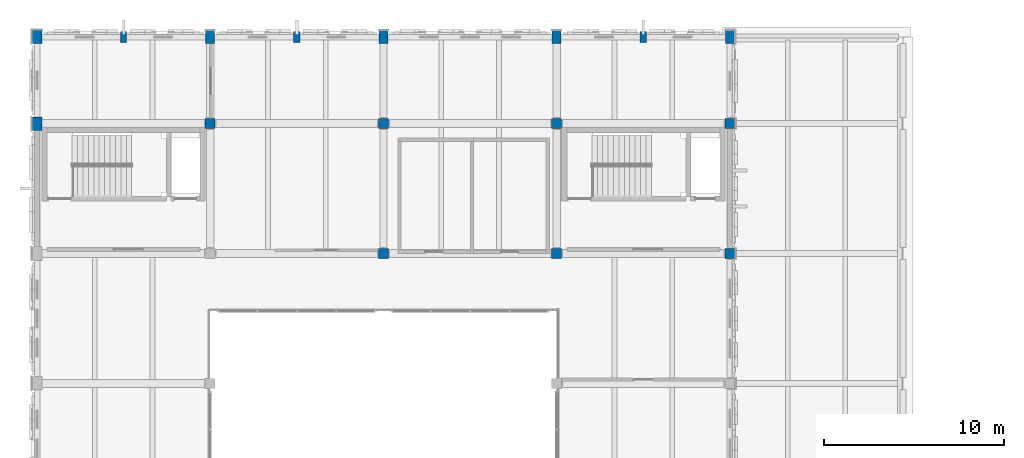
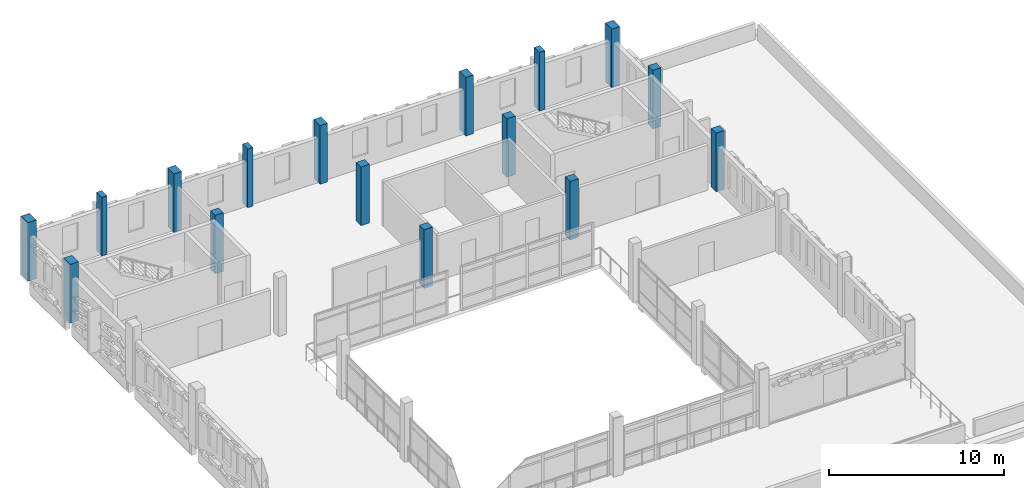
# One storey, part 2 of 50: 16 columns.
"""IFC4 building model written with IfcOpenShell, lengths in metres."""

from ifc_helpers import new_model, si_unit, direction, frame, origin, origin_2d, place, context, subcontext, project, spatial, rectangle, extrude, material, material_profile, profile_set, type_object, element, save


model = new_model("IFC4")

# Units and contexts
model_context = context("Model", 3, precision=1e-05, world=origin(), true_north=direction((0.0, 1.0)))
body_context = subcontext(model_context, "Body", "Model", "MODEL_VIEW")
ifc_project = project(units=[si_unit("LENGTHUNIT", "METRE"), si_unit("AREAUNIT", "SQUARE_METRE"), si_unit("VOLUMEUNIT", "CUBIC_METRE"), si_unit("PLANEANGLEUNIT", "RADIAN"), si_unit("MASSUNIT", "GRAM", prefix="KILO")], contexts=[model_context])

# Site, building, storey
site_placement = place(None, origin())
site = spatial("IfcSite", under=ifc_project, at=site_placement, CompositionType="ELEMENT")
building_placement = place(site_placement, origin())
building = spatial("IfcBuilding", under=site, at=building_placement, Name="Asteropetra Specialist Clinic", CompositionType="ELEMENT")
storey_placement = place(building_placement, frame((0.0, 0.0, 16.659912109375)))
storey = spatial("IfcBuildingStorey", under=building, at=storey_placement, Name="L04", CompositionType="ELEMENT", Elevation=16.659912109375)

# Columns
ifc_material_1 = material(Name="Concrete C35/45", Category="concrete")
ifc_material_profile_1 = material_profile(ifc_material_1, rectangle(XDim=0.5, YDim=0.699951171875, at=origin_2d()), Name="RC 500x700")
ifc_profile_set_1 = profile_set([ifc_material_profile_1], Name="Concrete C35/45")
column_type_1 = type_object("IfcColumnType", Name="COL-RC500x700", PredefinedType="COLUMN", material=ifc_profile_set_1)
for number, where, z_axis, x_axis, name in (
    (1, (9.60009765625, 110.39990234375, 0.0), (0.0, 0.0, 1.0), (1.0, 0.0, 0.0), "Column CCOL11-0159"),
    (2, (19.199951171875, 110.39990234375, 0.0), (0.0, 0.0, 1.0), (1.0, 0.0, 0.0), "Column CCOL11-0259"),
    (3, (28.800048828125, 110.39990234375, 0.0), (0.0, 0.0, 1.0), (1.0, 0.0, 0.0), "Column CCOL11-0355"),
    (4, (38.39990234375, 110.39990234375, 0.0), (0.0, 0.0, 1.0), (1.0, 0.0, 0.0), "Column CCOL11-0435"),
):
    element("IfcColumn", number, at=place(storey_placement, frame(where, z_axis=z_axis, x_axis=x_axis)), inside=storey, type_object=column_type_1, Name=name, PredefinedType="COLUMN", context=body_context, shape_type="SweptSolid", body=[
        extrude(rectangle(XDim=0.5, YDim=0.699951171875, at=origin_2d()), origin(), (0.0, 0.0, 1.0), 4.080078125),
    ])
ifc_material_2 = material(Name="Concrete C35/45", Category="concrete")
ifc_material_profile_2 = material_profile(ifc_material_2, rectangle(XDim=0.550048828125, YDim=0.550048828125, at=origin_2d()), Name="RC 550x550")
ifc_profile_set_2 = profile_set([ifc_material_profile_2], Name="Concrete C35/45")
column_type_2 = type_object("IfcColumnType", Name="COL-RC550", PredefinedType="COLUMN", material=ifc_profile_set_2)
for number, where, z_axis, x_axis, name in (
    (5, (9.60009765625, 105.60009765625, 0.0), (0.0, 0.0, 1.0), (1.0, 0.0, 0.0), "Column CCOL06-0153"),
    (6, (19.199951171875, 98.39990234375, 0.0), (0.0, 0.0, 1.0), (1.0, 0.0, 0.0), "Column CCOL06-0247"),
    (7, (19.199951171875, 105.60009765625, 0.0), (0.0, 0.0, 1.0), (1.0, 0.0, 0.0), "Column CCOL06-0253"),
    (8, (28.800048828125, 98.39990234375, 0.0), (0.0, 0.0, 1.0), (1.0, 0.0, 0.0), "Column CCOL06-0343"),
    (9, (28.800048828125, 105.60009765625, 0.0), (0.0, 0.0, 1.0), (1.0, 0.0, 0.0), "Column CCOL06-0349"),
    (10, (38.39990234375, 98.39990234375, 0.0), (0.0, 0.0, 1.0), (1.0, 0.0, 0.0), "Column CCOL06-0423"),
    (11, (38.39990234375, 105.60009765625, 0.0), (0.0, 0.0, 1.0), (1.0, 0.0, 0.0), "Column CCOL06-0429"),
):
    element("IfcColumn", number, at=place(storey_placement, frame(where, z_axis=z_axis, x_axis=x_axis)), inside=storey, type_object=column_type_2, Name=name, PredefinedType="COLUMN", context=body_context, shape_type="SweptSolid", body=[
        extrude(rectangle(XDim=0.550048828125, YDim=0.550048828125, at=origin_2d()), origin(), (0.0, 0.0, 1.0), 4.080078125),
    ])
ifc_material_3 = material(Name="Concrete C35/45", Category="concrete")
ifc_material_profile_3 = material_profile(ifc_material_3, rectangle(XDim=0.550048828125, YDim=0.75, at=origin_2d()), Name="RC 550x750")
ifc_profile_set_3 = profile_set([ifc_material_profile_3], Name="Concrete C35/45")
column_type_3 = type_object("IfcColumnType", Name="COL-RC550x750", PredefinedType="COLUMN", material=ifc_profile_set_3)
for number, where, z_axis, x_axis, name in (
    (12, (0.0, 105.60009765625, 0.0), (0.0, 0.0, 1.0), (1.0, 0.0, 0.0), "Column CCOL10-0073"),
    (13, (0.0, 110.39990234375, 0.0), (0.0, 0.0, 1.0), (1.0, 0.0, 0.0), "Column CCOL10-0079"),
):
    element("IfcColumn", number, at=place(storey_placement, frame(where, z_axis=z_axis, x_axis=x_axis)), inside=storey, type_object=column_type_3, Name=name, PredefinedType="COLUMN", context=body_context, shape_type="SweptSolid", body=[
        extrude(rectangle(XDim=0.550048828125, YDim=0.75, at=origin_2d()), origin(), (0.0, 0.0, 1.0), 4.080078125),
    ])
ifc_material_4 = material(Name="Concrete C35/45", Category="concrete")
ifc_material_profile_4 = material_profile(ifc_material_4, rectangle(XDim=0.35009765625, YDim=0.60009765625, at=origin_2d()), Name="PIL 350x600")
ifc_profile_set_4 = profile_set([ifc_material_profile_4], Name="Concrete C35/45")
column_type_4 = type_object("IfcColumnType", Name="PIL-RC350x600", PredefinedType="PILASTER", material=ifc_profile_set_4)
for number, where, z_axis, x_axis, name in (
    (14, (4.800048828125, 110.39990234375, 0.0), (0.0, 0.0, 1.0), (1.0, 0.0, 0.0), "Neoclassical Pilaster PL-L04-01"),
    (15, (14.39990234375, 110.39990234375, 0.0), (0.0, 0.0, 1.0), (1.0, 0.0, 0.0), "Neoclassical Pilaster PL-L04-02"),
    (16, (33.60009765625, 110.39990234375, 0.0), (0.0, 0.0, 1.0), (1.0, 0.0, 0.0), "Neoclassical Pilaster PL-L04-03"),
):
    element("IfcColumn", number, at=place(storey_placement, frame(where, z_axis=z_axis, x_axis=x_axis)), inside=storey, type_object=column_type_4, Name=name, PredefinedType="PILASTER", context=body_context, shape_type="SweptSolid", body=[
        extrude(rectangle(XDim=0.35009765625, YDim=0.60009765625, at=origin_2d()), origin(), (0.0, 0.0, 1.0), 4.080078125),
    ])

save(model, "model.ifc")
